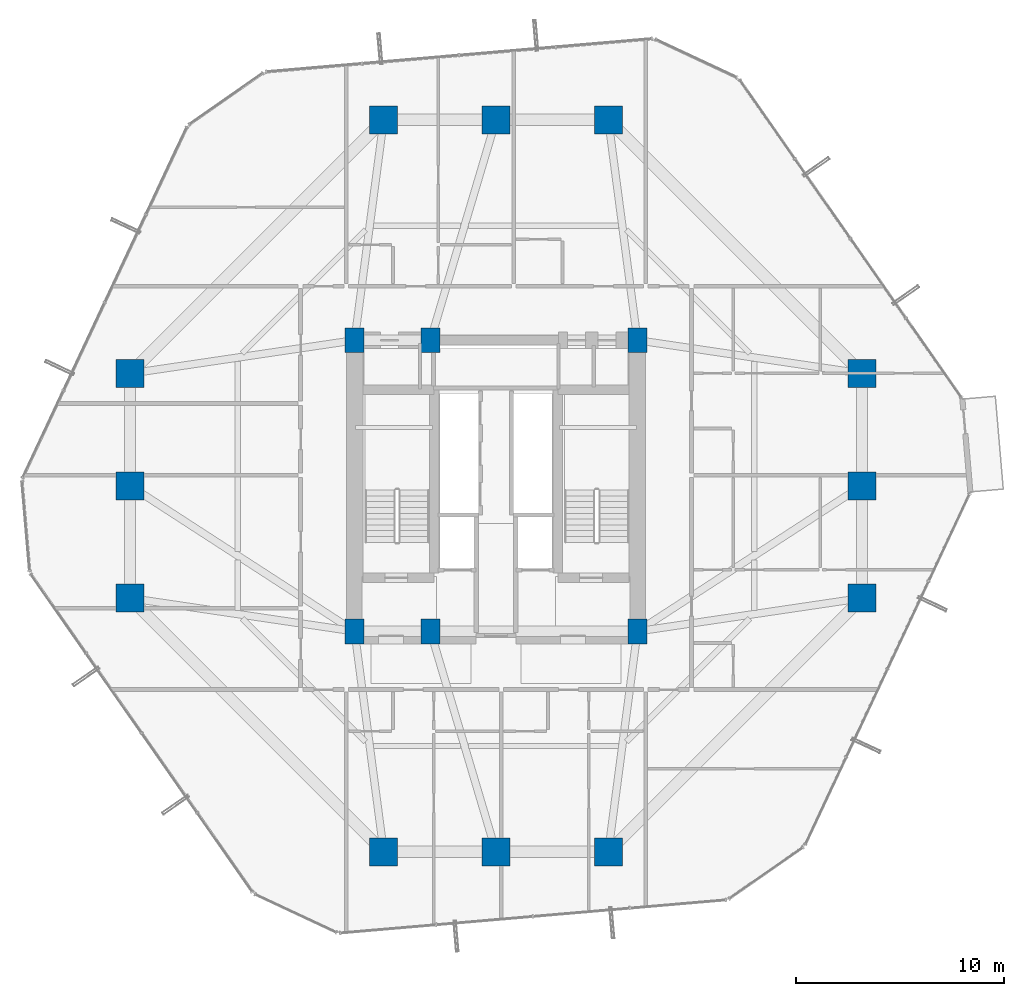
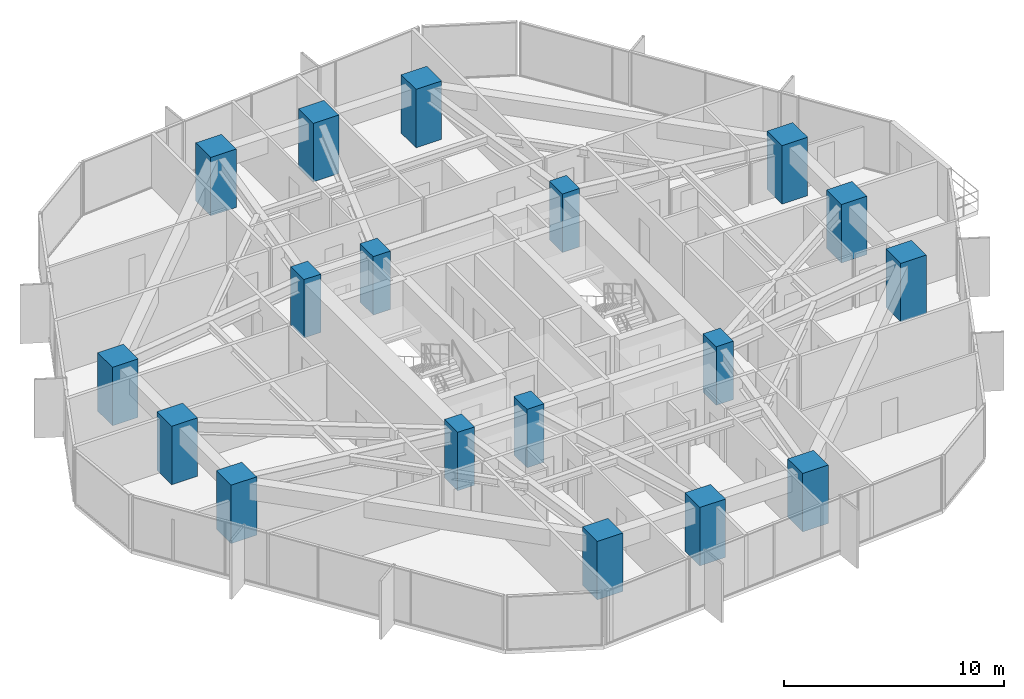
# One storey, part 1 of 37: 18 columns.
"""IFC4 building model written with IfcOpenShell, lengths in metres."""

from ifc_helpers import new_model, si_unit, direction, frame, origin, origin_2d, place, context, subcontext, project, spatial, rectangle, extrude, material, material_profile, profile_set, type_object, element, save


model = new_model("IFC4")

# Units and contexts
model_context = context("Model", 3, precision=1e-05, world=origin(), true_north=direction((0.0, 1.0)))
body_context = subcontext(model_context, "Body", "Model", "MODEL_VIEW")
ifc_project = project(units=[si_unit("LENGTHUNIT", "METRE"), si_unit("AREAUNIT", "SQUARE_METRE"), si_unit("VOLUMEUNIT", "CUBIC_METRE"), si_unit("PLANEANGLEUNIT", "RADIAN"), si_unit("MASSUNIT", "GRAM", prefix="KILO")], contexts=[model_context])

# Site, building, storey
site_placement = place(None, origin())
site = spatial("IfcSite", under=ifc_project, at=site_placement, CompositionType="ELEMENT")
building_placement = place(site_placement, origin())
building = spatial("IfcBuilding", under=site, at=building_placement, Name="Veraguas Prism Commons", CompositionType="ELEMENT")
storey_placement = place(building_placement, frame((0.0, 0.0, 40.300048828125)))
storey = spatial("IfcBuildingStorey", under=building, at=storey_placement, Name="L10", CompositionType="ELEMENT", Elevation=40.300048828125)

# Columns
ifc_material = material(Name="Concrete C60/75", Category="concrete")
ifc_material_profile_1 = material_profile(ifc_material, rectangle(XDim=1.35009765625, YDim=1.35009765625, at=origin_2d()), Name="RC1350X1350")
ifc_profile_set_1 = profile_set([ifc_material_profile_1], Name="Concrete C60/75")
column_type_1 = type_object("IfcColumnType", Name="Column Tube Z1 RC 1350x1350", PredefinedType="COLUMN", material=ifc_profile_set_1)
for number, where, z_axis, x_axis, name in (
    (1, (41.60009765625, 18.60009765625, 0.0), (0.0, 0.0, 1.0), (1.0, 0.0, 0.0), "Tower Perimeter Column L10-TB01"),
    (2, (41.60009765625, 24.0, 0.0), (0.0, 0.0, 1.0), (1.0, 0.0, 0.0), "Tower Perimeter Column L10-TB02"),
    (3, (41.60009765625, 29.39990234375, 0.0), (0.0, 0.0, 1.0), (1.0, 0.0, 0.0), "Tower Perimeter Column L10-TB03"),
    (4, (29.39990234375, 41.60009765625, 0.0), (0.0, 0.0, 1.0), (1.0, 0.0, 0.0), "Tower Perimeter Column L10-TB04"),
    (5, (24.0, 41.60009765625, 0.0), (0.0, 0.0, 1.0), (1.0, 0.0, 0.0), "Tower Perimeter Column L10-TB05"),
    (6, (18.60009765625, 41.60009765625, 0.0), (0.0, 0.0, 1.0), (1.0, 0.0, 0.0), "Tower Perimeter Column L10-TB06"),
    (7, (6.39990234375, 29.39990234375, 0.0), (0.0, 0.0, 1.0), (1.0, 0.0, 0.0), "Tower Perimeter Column L10-TB07"),
    (8, (6.39990234375, 24.0, 0.0), (0.0, 0.0, 1.0), (1.0, 0.0, 0.0), "Tower Perimeter Column L10-TB08"),
    (9, (6.39990234375, 18.60009765625, 0.0), (0.0, 0.0, 1.0), (1.0, 0.0, 0.0), "Tower Perimeter Column L10-TB09"),
    (10, (18.60009765625, 6.39990234375, 0.0), (0.0, 0.0, 1.0), (1.0, 0.0, 0.0), "Tower Perimeter Column L10-TB10"),
    (11, (24.0, 6.39990234375, 0.0), (0.0, 0.0, 1.0), (1.0, 0.0, 0.0), "Tower Perimeter Column L10-TB11"),
    (12, (29.39990234375, 6.39990234375, 0.0), (0.0, 0.0, 1.0), (1.0, 0.0, 0.0), "Tower Perimeter Column L10-TB12"),
):
    element("IfcColumn", number, at=place(storey_placement, frame(where, z_axis=z_axis, x_axis=x_axis)), inside=storey, type_object=column_type_1, Name=name, PredefinedType="COLUMN", context=body_context, shape_type="SweptSolid", body=[
        extrude(rectangle(XDim=1.35009765625, YDim=1.35009765625, at=origin_2d()), origin(), (0.0, 0.0, 1.0), 3.25),
    ])
ifc_material_profile_2 = material_profile(ifc_material, rectangle(XDim=0.89990234375, YDim=1.199951171875, at=origin_2d()), Name="RC900X1200")
ifc_profile_set_2 = profile_set([ifc_material_profile_2], Name="Concrete C60/75")
column_type_2 = type_object("IfcColumnType", Name="Pilaster Core Lower RC 900x1200", PredefinedType="PILASTER", material=ifc_profile_set_2)
for number, where, z_axis, x_axis, name in (
    (13, (17.199951171875, 17.0, 0.0), (0.0, 0.0, 1.0), (1.0, 0.0, 0.0), "Core Pilaster Column L10-CR1"),
    (14, (20.85009765625, 17.0, 0.0), (0.0, 0.0, 1.0), (1.0, 0.0, 0.0), "Core Pilaster Column L10-CR2"),
    (15, (30.800048828125, 17.0, 0.0), (0.0, 0.0, 1.0), (1.0, 0.0, 0.0), "Core Pilaster Column L10-CR3"),
    (16, (17.199951171875, 31.0, 0.0), (0.0, 0.0, 1.0), (1.0, 0.0, 0.0), "Core Pilaster Column L10-CR4"),
    (17, (20.85009765625, 31.0, 0.0), (0.0, 0.0, 1.0), (1.0, 0.0, 0.0), "Core Pilaster Column L10-CR5"),
    (18, (30.800048828125, 31.0, 0.0), (0.0, 0.0, 1.0), (1.0, 0.0, 0.0), "Core Pilaster Column L10-CR6"),
):
    element("IfcColumn", number, at=place(storey_placement, frame(where, z_axis=z_axis, x_axis=x_axis)), inside=storey, type_object=column_type_2, Name=name, PredefinedType="PILASTER", context=body_context, shape_type="SweptSolid", body=[
        extrude(rectangle(XDim=0.89990234375, YDim=1.199951171875, at=origin_2d()), origin(), (0.0, 0.0, 1.0), 3.25),
    ])

save(model, "model.ifc")
